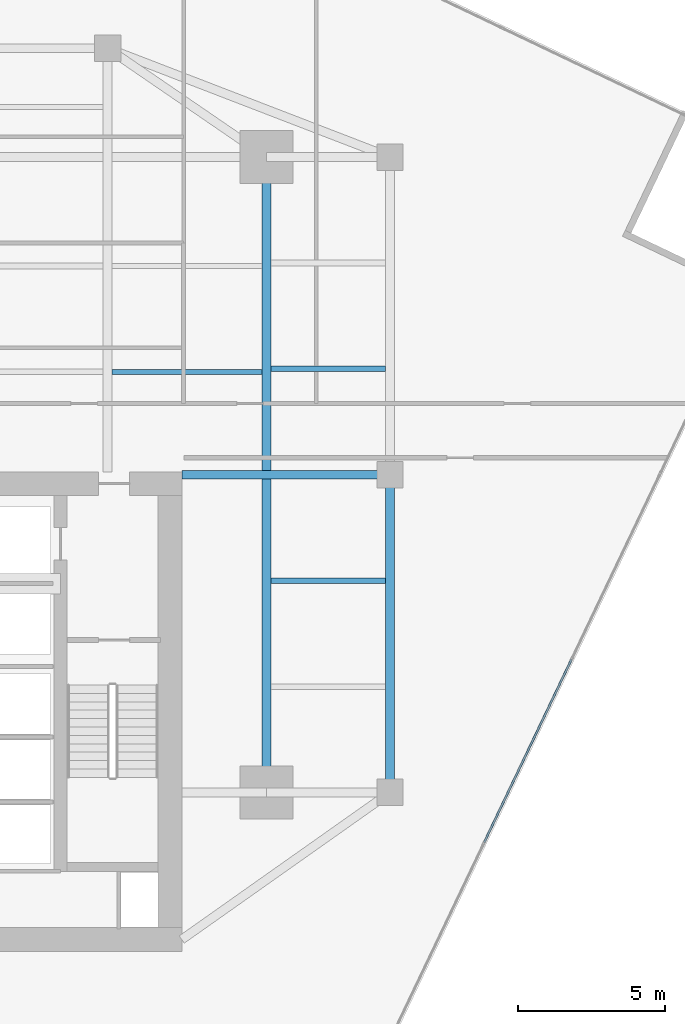
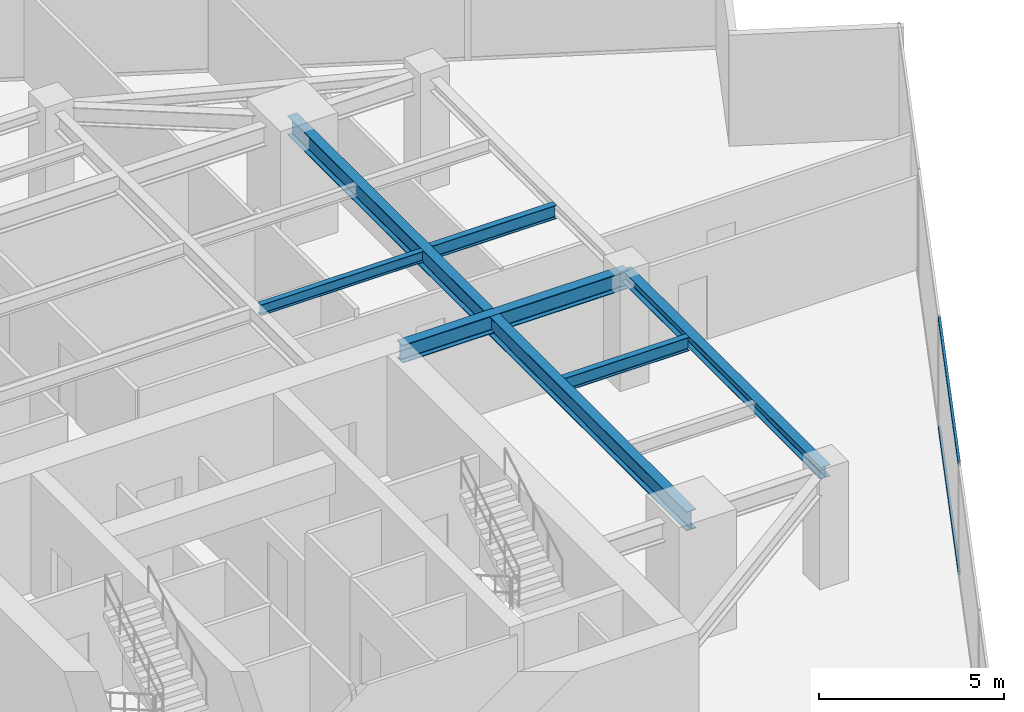
# One storey, part 11 of 25: 6 beams, 2 members, 1 element without a shape of its own.
"""IFC4 building model written with IfcOpenShell, lengths in metres."""

from ifc_helpers import new_model, si_unit, direction, frame, origin, origin_2d, place, context, subcontext, project, spatial, hollow_rectangle, i_section, extrude, source, transform, mapped, material, material_profile, profile_set, type_object, type_shapes, element, aggregate, save


model = new_model("IFC4")

# Units and contexts
model_context = context("Model", 3, precision=1e-05, world=origin(), true_north=direction((0.0, 1.0)))
body_context = subcontext(model_context, "Body", "Model", "MODEL_VIEW")
ifc_project = project(units=[si_unit("LENGTHUNIT", "METRE"), si_unit("AREAUNIT", "SQUARE_METRE"), si_unit("VOLUMEUNIT", "CUBIC_METRE"), si_unit("PLANEANGLEUNIT", "RADIAN"), si_unit("MASSUNIT", "GRAM", prefix="KILO")], contexts=[model_context])

# Site, building, storey
site_placement = place(None, origin())
site = spatial("IfcSite", under=ifc_project, at=site_placement, CompositionType="ELEMENT")
building_placement = place(site_placement, origin())
building = spatial("IfcBuilding", under=site, at=building_placement, Name="Krantzveldt Concourse Tower", CompositionType="ELEMENT")
storey_placement = place(building_placement, frame((0.0, 0.0, 146.199951171875)))
storey = spatial("IfcBuildingStorey", under=building, at=storey_placement, Name="L35", CompositionType="ELEMENT", Elevation=146.199951171875)

# Beams
ifc_material_1 = material(Name="Steel S355JR", Category="steel")
ifc_material_profile_1 = material_profile(ifc_material_1, i_section(OverallWidth=0.300048828125, OverallDepth=0.639892578125, WebThickness=0.013427734375, FlangeThickness=0.02587890625, FilletRadius=0.027099609375, at=origin_2d()), Name="Steel S355JR", Category="steel")
ifc_profile_set_1 = profile_set([ifc_material_profile_1], Name="Steel S355JR - HEA 650")
beam_type_1 = type_object("IfcBeamType", Name="BM-B-HEA650", PredefinedType="BEAM", material=ifc_profile_set_1)
shared_shape_1 = source(origin(), body_context, "Body", "SweptSolid", [
    extrude(i_section(OverallWidth=0.300048828125, OverallDepth=0.639892578125, WebThickness=0.013427734375, FlangeThickness=0.02587890625, FilletRadius=0.027099609375, at=origin_2d()), origin(), (0.0, 0.0, 1.0), 21.60009765625),
])
type_shapes(beam_type_1, [shared_shape_1])
beam_1_placement = place(storey_placement, frame((46.800048828125, 15.89990234375, 3.35009765625), z_axis=(0.0, 1.0, 0.0), x_axis=(-1.0, 0.0, 0.0)))
element("IfcBeam", 1, at=beam_1_placement, inside=storey, type_object=beam_type_1, Name="L35 Tower Girder BG-ME", PredefinedType="BEAM", context=body_context, shape_type="MappedRepresentation", body=[
    mapped(shared_shape_1, transform((0.0, 0.0, 0.0), x_axis=(1.0, 0.0, 0.0), y_axis=(0.0, 1.0, 0.0), z_axis=(0.0, 0.0, 1.0), scale=1.0)),
])
ifc_material_profile_2 = material_profile(ifc_material_1, i_section(OverallWidth=0.300048828125, OverallDepth=0.590087890625, WebThickness=0.012939453125, FlangeThickness=0.02490234375, FilletRadius=0.027099609375, at=origin_2d()), Name="Steel S355JR", Category="steel")
ifc_profile_set_2 = profile_set([ifc_material_profile_2], Name="Steel S355JR - HEA 600")
beam_type_2 = type_object("IfcBeamType", Name="BM-B-HEA600", PredefinedType="BEAM", material=ifc_profile_set_2)
shared_shape_2 = source(origin(), body_context, "Body", "SweptSolid", [
    extrude(i_section(OverallWidth=0.300048828125, OverallDepth=0.590087890625, WebThickness=0.012939453125, FlangeThickness=0.02490234375, FilletRadius=0.027099609375, at=origin_2d()), origin(), (0.0, 0.0, 1.0), 7.080078125),
])
type_shapes(beam_type_2, [shared_shape_2])
beam_2_placement = place(storey_placement, frame((43.919921875, 26.699951171875, 3.375), z_axis=(1.0, 0.0, 0.0), x_axis=(0.0, 1.0, 0.0)))
element("IfcBeam", 2, at=beam_2_placement, inside=storey, type_object=beam_type_2, Name="L35 Tower Girder BG-CE2", PredefinedType="BEAM", context=body_context, shape_type="MappedRepresentation", body=[
    mapped(shared_shape_2, transform((0.0, 0.0, 0.0), x_axis=(1.0, 0.0, 0.0), y_axis=(0.0, 1.0, 0.0), z_axis=(0.0, 0.0, 1.0), scale=1.0)),
])
ifc_material_profile_3 = material_profile(ifc_material_1, i_section(OverallWidth=0.300048828125, OverallDepth=0.389892578125, WebThickness=0.010986328125, FlangeThickness=0.01904296875, FilletRadius=0.027099609375, at=origin_2d()), Name="Steel S355JR", Category="steel")
ifc_profile_set_3 = profile_set([ifc_material_profile_3], Name="Steel S355JR - HEA 400")
beam_type_3 = type_object("IfcBeamType", Name="BM-SP-HEA400", PredefinedType="SPANDREL", material=ifc_profile_set_3)
shared_shape_3 = source(origin(), body_context, "Body", "SweptSolid", [
    extrude(i_section(OverallWidth=0.300048828125, OverallDepth=0.389892578125, WebThickness=0.010986328125, FlangeThickness=0.01904296875, FilletRadius=0.027099609375, at=origin_2d()), origin(), (0.0, 0.0, 1.0), 10.800048828125),
])
type_shapes(beam_type_3, [shared_shape_3])
beam_3_placement = place(storey_placement, frame((51.0, 26.699951171875, 3.47509765625), z_axis=(0.0, -1.0, 0.0), x_axis=(1.0, 0.0, 0.0)))
element("IfcBeam", 3, at=beam_3_placement, inside=storey, type_object=beam_type_3, Name="L35 Tower Girder SP-R07", PredefinedType="SPANDREL", context=body_context, shape_type="MappedRepresentation", body=[
    mapped(shared_shape_3, transform((0.0, 0.0, 0.0), x_axis=(1.0, 0.0, 0.0), y_axis=(0.0, 1.0, 0.0), z_axis=(0.0, 0.0, 1.0), scale=1.0)),
])
ifc_material_profile_4 = material_profile(ifc_material_1, i_section(OverallWidth=0.169921875, OverallDepth=0.360107421875, WebThickness=0.008056640625, FlangeThickness=0.0126953125, FilletRadius=0.01806640625, at=origin_2d()), Name="Steel S355JR", Category="steel")
ifc_profile_set_4 = profile_set([ifc_material_profile_4], Name="Steel S355JR - IPE 360")
beam_type_4 = type_object("IfcBeamType", Name="BM-J-IPE360", PredefinedType="JOIST", material=ifc_profile_set_4)
shared_shape_4 = source(origin(), body_context, "Body", "SweptSolid", [
    extrude(i_section(OverallWidth=0.169921875, OverallDepth=0.360107421875, WebThickness=0.008056640625, FlangeThickness=0.0126953125, FilletRadius=0.01806640625, at=origin_2d()), origin(), (0.0, 0.0, 1.0), 5.099853515625),
])
type_shapes(beam_type_4, [shared_shape_4])
beam_4_placement = place(storey_placement, frame((41.550048828125, 30.199951171875, 3.489990234375), z_axis=(1.0, 0.0, 0.0), x_axis=(0.0, 1.0, 0.0)))
element("IfcBeam", 4, at=beam_4_placement, inside=storey, type_object=beam_type_4, Name="L35 Secondary Floor Joist JN-E1", PredefinedType="JOIST", context=body_context, shape_type="MappedRepresentation", body=[
    mapped(shared_shape_4, transform((0.0, 0.0, 0.0), x_axis=(1.0, 0.0, 0.0), y_axis=(0.0, 1.0, 0.0), z_axis=(0.0, 0.0, 1.0), scale=1.0)),
])
ifc_material_profile_5 = material_profile(ifc_material_1, i_section(OverallWidth=0.18994140625, OverallDepth=0.449951171875, WebThickness=0.009521484375, FlangeThickness=0.0146484375, FilletRadius=0.02099609375, at=origin_2d()), Name="Steel S355JR", Category="steel")
ifc_profile_set_5 = profile_set([ifc_material_profile_5], Name="Steel S355JR - IPE 450")
beam_type_5 = type_object("IfcBeamType", Name="BM-J-IPE450", PredefinedType="JOIST", material=ifc_profile_set_5)
shared_shape_5 = source(origin(), body_context, "Body", "SweptSolid", [
    extrude(i_section(OverallWidth=0.18994140625, OverallDepth=0.449951171875, WebThickness=0.009521484375, FlangeThickness=0.0146484375, FilletRadius=0.02099609375, at=origin_2d()), origin(), (0.0, 0.0, 1.0), 3.900146484375),
])
type_shapes(beam_type_5, [shared_shape_5])
for number, where, z_axis, x_axis, name in (
    (5, (46.949951171875, 23.10009765625, 3.445068359375), (1.0, 0.0, 0.0), (0.0, 1.0, 0.0), "L35 Secondary Floor Joist JE-2"),
    (6, (46.949951171875, 30.300048828125, 3.445068359375), (1.0, 0.0, 0.0), (0.0, 1.0, 0.0), "L35 Secondary Floor Joist JE-3"),
):
    element("IfcBeam", number, at=place(storey_placement, frame(where, z_axis=z_axis, x_axis=x_axis)), inside=storey, type_object=beam_type_5, Name=name, PredefinedType="JOIST", context=body_context, shape_type="MappedRepresentation", body=[
        mapped(shared_shape_5, transform((0.0, 0.0, 0.0), x_axis=(1.0, 0.0, 0.0), y_axis=(0.0, 1.0, 0.0), z_axis=(0.0, 0.0, 1.0), scale=1.0)),
    ])

# Curtain wall, members
ifc_material_2 = material(Name="Anodised aluminium 6063-T6", Category="aluminium")
curtain_wall_type = type_object("IfcCurtainWallType", Name="CW3", PredefinedType="USERDEFINED", material=ifc_material_2)
curtain_wall_placement = place(storey_placement, origin())
curtain_wall = element("IfcCurtainWall", 7, at=curtain_wall_placement, inside=storey, type_object=curtain_wall_type, Name="CW-L35-F07", ObjectType="UNITISED CURTAIN WALL", PredefinedType="USERDEFINED")
ifc_material_profile_6 = material_profile(ifc_material_2, hollow_rectangle(XDim=0.070068359375, YDim=0.139892578125, WallThickness=0.0048828125, at=origin_2d()), Name="Anodised aluminium 6063-T6", Category="aluminium")
ifc_profile_set_6 = profile_set([ifc_material_profile_6], Name="Anodised aluminium 6063-T6 - ALU-TRAN 140x70x5")
member_type = type_object("IfcMemberType", Name="CW-TRN-150", PredefinedType="USERDEFINED", material=ifc_profile_set_6)
shared_shape_6 = source(origin(), body_context, "Body", "SweptSolid", [
    extrude(hollow_rectangle(XDim=0.070068359375, YDim=0.139892578125, WallThickness=0.0048828125, at=origin_2d()), origin(), (0.0, 0.0, 1.0), 6.889892578125),
])
type_shapes(member_type, [shared_shape_6])
member_1_placement = place(storey_placement, frame((54.202392578125, 14.201171875, 0.03515625), z_axis=(0.430496063592, 0.902592454673, 0.0), x_axis=(-0.902592454673, 0.430496063592, 0.0)))
member_1 = element("IfcMember", 8, at=member_1_placement, type_object=member_type, Name="CW-Z34 transom 3.1", ObjectType="TRANSOM", PredefinedType="USERDEFINED", context=body_context, shape_type="MappedRepresentation", body=[
    mapped(shared_shape_6, transform((0.0, 0.0, 0.0), x_axis=(1.0, 0.0, 0.0), y_axis=(0.0, 1.0, 0.0), z_axis=(0.0, 0.0, 1.0), scale=1.0)),
])
member_2_placement = place(storey_placement, frame((54.202392578125, 14.201171875, 3.635009765625), z_axis=(0.430496063592, 0.902592454673, 0.0), x_axis=(-0.902592454673, 0.430496063592, 0.0)))
member_2 = element("IfcMember", 9, at=member_2_placement, type_object=member_type, Name="CW-Z34 transom 3.2", ObjectType="TRANSOM", PredefinedType="USERDEFINED", context=body_context, shape_type="MappedRepresentation", body=[
    mapped(shared_shape_6, transform((0.0, 0.0, 0.0), x_axis=(1.0, 0.0, 0.0), y_axis=(0.0, 1.0, 0.0), z_axis=(0.0, 0.0, 1.0), scale=1.0)),
])
aggregate(curtain_wall, [member_1, member_2])

save(model, "model.ifc")
